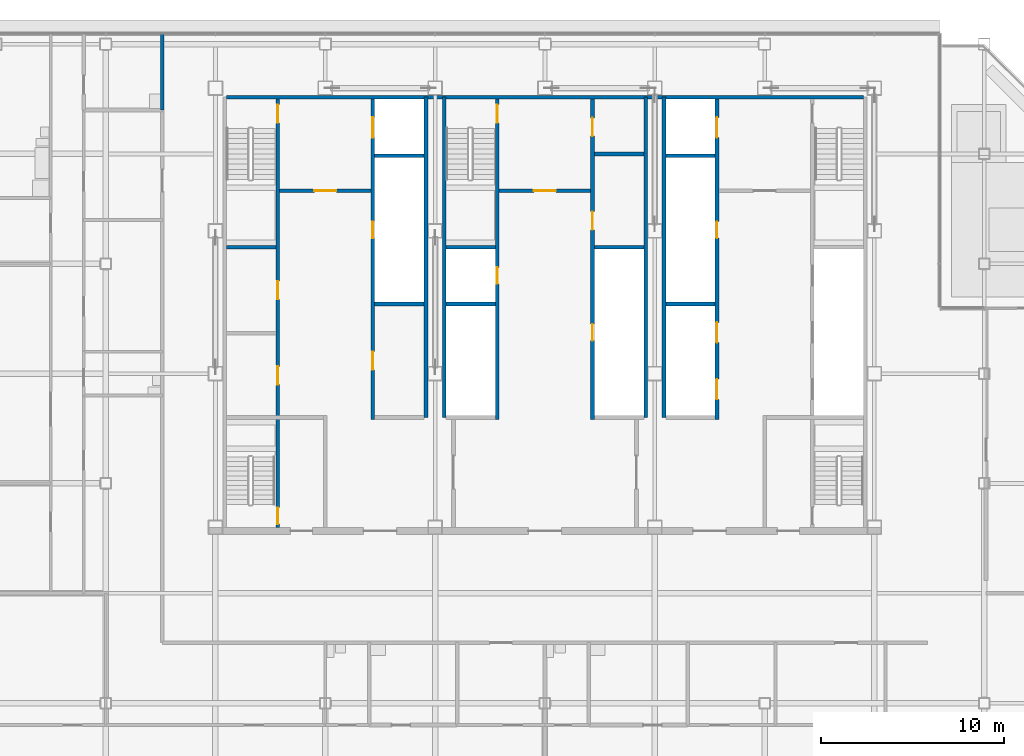
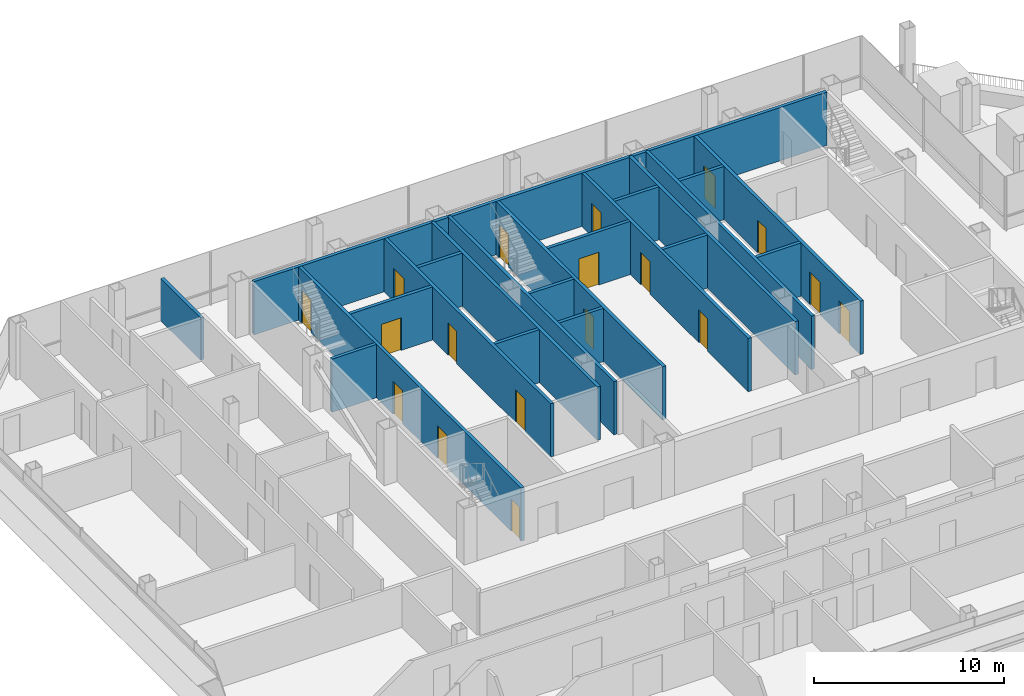
# One storey, part 23 of 29: 22 walls, 18 doors, 18 openings.
"""IFC4 building model written with IfcOpenShell, lengths in metres."""

from ifc_helpers import new_model, si_unit, direction, frame, frame_2d, origin, place, context, subcontext, project, spatial, rectangle, extrude, material, layer, layer_set, type_object, element, fill, save


model = new_model("IFC4")

# Units and contexts
model_context = context("Model", 3, precision=1e-05, world=origin(), true_north=direction((0.0, 1.0)))
body_context = subcontext(model_context, "Body", "Model", "MODEL_VIEW")
ifc_project = project(units=[si_unit("LENGTHUNIT", "METRE"), si_unit("AREAUNIT", "SQUARE_METRE"), si_unit("VOLUMEUNIT", "CUBIC_METRE"), si_unit("PLANEANGLEUNIT", "RADIAN"), si_unit("MASSUNIT", "GRAM", prefix="KILO")], contexts=[model_context])

# Site, building, storey
site_placement = place(None, origin())
site = spatial("IfcSite", under=ifc_project, at=site_placement, CompositionType="ELEMENT")
building_placement = place(site_placement, origin())
building = spatial("IfcBuilding", under=site, at=building_placement, Name="Sorahane Residences", CompositionType="ELEMENT")
storey_placement = place(building_placement, frame((0.0, 0.0, 199.199951171875)))
storey = spatial("IfcBuildingStorey", under=building, at=storey_placement, Name="L46", CompositionType="ELEMENT", Elevation=199.199951171875)

# Walls
ifc_material_1 = material(Name="Concrete C30", Category="concrete")
ifc_layer_1 = layer(ifc_material_1, 0.199951171875)
ifc_layer_set_1 = layer_set([ifc_layer_1], Name="Core face wall 200 EI 180")
wall_type_1 = type_object("IfcWallType", Name="Core face wall 200 EI 180", PredefinedType="SOLIDWALL", material=ifc_layer_set_1)
wall_1_placement = place(storey_placement, frame((6.60009765625, 45.10009765625, 0.0), z_axis=(0.0, 0.0, 1.0), x_axis=(1.0, 0.0, 0.0)))
element("IfcWall", 1, at=wall_1_placement, inside=storey, type_object=wall_type_1, Name="L46 core face wall", PredefinedType="SOLIDWALL", context=body_context, shape_type="SweptSolid", body=[
    extrude(rectangle(XDim=34.7998046875, YDim=0.199951171875, at=frame_2d((17.39990234375, 0.0))), origin(), (0.0, 0.0, 1.0), 3.420166015625),
])
for number, where, z_axis, x_axis, name in (
    (2, (17.5, 27.60009765625, 0.0), (0.0, 0.0, 1.0), (0.0, 1.0, 0.0), "L46 core face wall"),
    (3, (18.5, 27.60009765625, 0.0), (0.0, 0.0, 1.0), (0.0, 1.0, 0.0), "L46 core face wall"),
    (4, (29.5, 27.60009765625, 0.0), (0.0, 0.0, 1.0), (0.0, 1.0, 0.0), "L46 core face wall"),
    (5, (30.5, 27.60009765625, 0.0), (0.0, 0.0, 1.0), (0.0, 1.0, 0.0), "L46 core face wall"),
):
    element("IfcWall", number, at=place(storey_placement, frame(where, z_axis=z_axis, x_axis=x_axis)), inside=storey, type_object=wall_type_1, Name=name, PredefinedType="SOLIDWALL", context=body_context, shape_type="SweptSolid", body=[
        extrude(rectangle(XDim=17.5, YDim=0.199951171875, at=frame_2d((8.75, 0.0))), origin(), (0.0, 0.0, 1.0), 3.420166015625),
    ])

# Wall, opening, door
ifc_material_2 = material(Name="Concrete C30", Category="concrete")
ifc_layer_2 = layer(ifc_material_2, 0.199951171875)
ifc_layer_set_2 = layer_set([ifc_layer_2], Name="Front room wall 200 EI 120")
wall_type_2 = type_object("IfcWallType", Name="Front room wall 200 EI 120", PredefinedType="PARTITIONING", material=ifc_layer_set_2)
wall_2_placement = place(storey_placement, frame((21.5, 40.0, 0.0), z_axis=(0.0, 0.0, 1.0), x_axis=(1.0, 0.0, 0.0)))
wall_2 = element("IfcWall", 6, at=wall_2_placement, inside=storey, type_object=wall_type_2, Name="L46 front room wall", PredefinedType="PARTITIONING", context=body_context, shape_type="SweptSolid", body=[
    extrude(rectangle(XDim=5.0, YDim=0.199951171875, at=frame_2d((2.5, 0.0))), origin(), (0.0, 0.0, 1.0), 3.420166015625),
])
opening_1_placement = place(wall_2_placement, frame((1.89990234375, 0.0, 0.0)))
opening_1 = element("IfcOpeningElement", 7, at=opening_1_placement, cuts=wall_2, Name="Opening L46-C09", PredefinedType="OPENING", context=body_context, shape_type="SweptSolid", body=[
    extrude(rectangle(XDim=1.199951171875, YDim=2.10009765625, at=frame_2d((0.60009765625, 1.050048828125))), frame((0.0, 0.10986328125, 0.0), z_axis=(0.0, -1.0, 0.0), x_axis=(1.0, 0.0, 0.0)), (0.0, 0.0, 1.0), 0.219970703125),
])
ifc_material_3 = material(Name="Steel", Category="steel")
door_type_1 = type_object("IfcDoorType", Name="Front room door 1200x2100 FD120", OperationType="NOTDEFINED", PredefinedType="DOOR", material=ifc_material_3)
door_1_placement = place(opening_1_placement, frame((1.199951171875, 0.0, 0.0), z_axis=(0.0, 0.0, 1.0), x_axis=(-1.0, 0.0, 0.0)))
door_1 = element("IfcDoor", 8, at=door_1_placement, inside=storey, type_object=door_type_1, Name="Front room door Stair S3 vestibule L46", OperationType="DOUBLE_DOOR_SINGLE_SWING", OverallHeight=2.10009765625, OverallWidth=1.199951171875, PredefinedType="DOOR", context=body_context, shape_type="SweptSolid", body=[
    extrude(rectangle(XDim=1.199951171875, YDim=2.10009765625, at=frame_2d((0.60009765625, 1.050048828125))), frame((0.0, 0.02490234375, 0.0), z_axis=(0.0, -1.0, 0.0), x_axis=(1.0, 0.0, 0.0)), (0.0, 0.0, 1.0), 0.050048828125),
])
fill(opening_1, door_1)

wall_3_placement = place(storey_placement, frame((9.5, 40.0, 0.0), z_axis=(0.0, 0.0, 1.0), x_axis=(1.0, 0.0, 0.0)))
wall_3 = element("IfcWall", 9, at=wall_3_placement, inside=storey, type_object=wall_type_2, Name="L46 front room wall", PredefinedType="PARTITIONING", context=body_context, shape_type="SweptSolid", body=[
    extrude(rectangle(XDim=5.0, YDim=0.199951171875, at=frame_2d((2.5, 0.0))), origin(), (0.0, 0.0, 1.0), 3.420166015625),
])
opening_2_placement = place(wall_3_placement, frame((1.89990234375, 0.0, 0.0)))
opening_2 = element("IfcOpeningElement", 10, at=opening_2_placement, cuts=wall_3, Name="Opening L46-C08", PredefinedType="OPENING", context=body_context, shape_type="SweptSolid", body=[
    extrude(rectangle(XDim=1.199951171875, YDim=2.10009765625, at=frame_2d((0.60009765625, 1.050048828125))), frame((0.0, 0.10986328125, 0.0), z_axis=(0.0, -1.0, 0.0), x_axis=(1.0, 0.0, 0.0)), (0.0, 0.0, 1.0), 0.219970703125),
])
door_2_placement = place(opening_2_placement, frame((1.199951171875, 0.0, 0.0), z_axis=(0.0, 0.0, 1.0), x_axis=(-1.0, 0.0, 0.0)))
door_2 = element("IfcDoor", 11, at=door_2_placement, inside=storey, type_object=door_type_1, Name="Front room door Firefighting lobby FF1 front room L46", OperationType="DOUBLE_DOOR_SINGLE_SWING", OverallHeight=2.10009765625, OverallWidth=1.199951171875, PredefinedType="DOOR", context=body_context, shape_type="SweptSolid", body=[
    extrude(rectangle(XDim=1.199951171875, YDim=2.10009765625, at=frame_2d((0.60009765625, 1.050048828125))), frame((0.0, 0.02490234375, 0.0), z_axis=(0.0, -1.0, 0.0), x_axis=(1.0, 0.0, 0.0)), (0.0, 0.0, 1.0), 0.050048828125),
])
fill(opening_2, door_2)

# Wall
ifc_material_4 = material(Name="Concrete blockwork C20 wall", Category="masonry")
ifc_layer_3 = layer(ifc_material_4, 0.199951171875)
ifc_layer_set_3 = layer_set([ifc_layer_3], Name="Kitchen wall 200 EI 180")
wall_type_3 = type_object("IfcWallType", Name="Kitchen wall 200 EI 180", PredefinedType="SOLIDWALL", material=ifc_layer_set_3)
wall_4_placement = place(storey_placement, frame((3.10009765625, 44.39990234375, 0.0), z_axis=(0.0, 0.0, 1.0), x_axis=(0.0, 1.0, 0.0)))
element("IfcWall", 12, at=wall_4_placement, inside=storey, type_object=wall_type_3, Name="L46 kitchen wall", PredefinedType="SOLIDWALL", context=body_context, shape_type="SweptSolid", body=[
    extrude(rectangle(XDim=4.2001953125, YDim=0.199951171875, at=frame_2d((2.10009765625, 0.0))), origin(), (0.0, 0.0, 1.0), 2.719970703125),
])

# Wall, openings, doors
ifc_material_5 = material(Name="Concrete C30", Category="concrete")
ifc_layer_4 = layer(ifc_material_5, 0.199951171875)
ifc_layer_set_4 = layer_set([ifc_layer_4], Name="Lift shaft wall 200 EI 120")
wall_type_4 = type_object("IfcWallType", Name="Lift shaft wall 200 EI 120", PredefinedType="SOLIDWALL", material=ifc_layer_set_4)
wall_5_placement = place(storey_placement, frame((14.60009765625, 27.5, 0.0), z_axis=(0.0, 0.0, 1.0), x_axis=(0.0, 1.0, 0.0)))
wall_5 = element("IfcWall", 13, at=wall_5_placement, inside=storey, type_object=wall_type_4, Name="L46 lift shaft wall", PredefinedType="SOLIDWALL", context=body_context, shape_type="SweptSolid", body=[
    extrude(rectangle(XDim=17.5, YDim=0.199951171875, at=frame_2d((8.75, 0.0))), origin(), (0.0, 0.0, 1.0), 3.420166015625),
])
opening_3_placement = place(wall_5_placement, frame((15.39990234375, 0.0, 0.0)))
opening_3 = element("IfcOpeningElement", 14, at=opening_3_placement, cuts=wall_5, Name="Opening L46-C17", PredefinedType="OPENING", context=body_context, shape_type="SweptSolid", body=[
    extrude(rectangle(XDim=1.10009765625, YDim=2.10009765625, at=frame_2d((0.550048828125, 1.050048828125))), frame((0.0, 0.10986328125, 0.0), z_axis=(0.0, -1.0, 0.0), x_axis=(1.0, 0.0, 0.0)), (0.0, 0.0, 1.0), 0.219970703125),
])
opening_4_placement = place(wall_5_placement, frame((2.699951171875, 0.0, 0.0)))
opening_4 = element("IfcOpeningElement", 15, at=opening_4_placement, cuts=wall_5, Name="Opening L46-C18", PredefinedType="OPENING", context=body_context, shape_type="SweptSolid", body=[
    extrude(rectangle(XDim=1.0, YDim=2.10009765625, at=frame_2d((0.5, 1.050048828125))), frame((0.0, 0.10986328125, 0.0), z_axis=(0.0, -1.0, 0.0), x_axis=(1.0, 0.0, 0.0)), (0.0, 0.0, 1.0), 0.219970703125),
])
opening_5_placement = place(wall_5_placement, frame((9.89990234375, 0.0, 0.0)))
opening_5 = element("IfcOpeningElement", 16, at=opening_5_placement, cuts=wall_5, Name="Opening L46-C26", PredefinedType="OPENING", context=body_context, shape_type="SweptSolid", body=[
    extrude(rectangle(XDim=0.89990234375, YDim=2.10009765625, at=frame_2d((0.449951171875, 1.050048828125))), frame((0.0, 0.10986328125, 0.0), z_axis=(0.0, -1.0, 0.0), x_axis=(1.0, 0.0, 0.0)), (0.0, 0.0, 1.0), 0.219970703125),
])
ifc_material_6 = material(Name="Aluminium and stainless steel", Category="steel")
door_type_2 = type_object("IfcDoorType", Name="Lift landing door 1100x2100 E 60", OperationType="NOTDEFINED", PredefinedType="DOOR", material=ifc_material_6)
door_3_placement = place(opening_3_placement, origin())
door_3 = element("IfcDoor", 17, at=door_3_placement, inside=storey, type_object=door_type_2, Name="Lift landing door FF1 L46", OperationType="DOUBLE_DOOR_SLIDING", OverallHeight=2.10009765625, OverallWidth=1.10009765625, PredefinedType="DOOR", context=body_context, shape_type="SweptSolid", body=[
    extrude(rectangle(XDim=1.10009765625, YDim=2.10009765625, at=frame_2d((0.550048828125, 1.050048828125))), frame((0.0, 0.02490234375, 0.0), z_axis=(0.0, -1.0, 0.0), x_axis=(1.0, 0.0, 0.0)), (0.0, 0.0, 1.0), 0.050048828125),
])
fill(opening_3, door_3)
ifc_material_7 = material(Name="Steel", Category="steel")
door_type_3 = type_object("IfcDoorType", Name="Riser door 900x2100 FD120", OperationType="NOTDEFINED", PredefinedType="DOOR", material=ifc_material_7)
door_4_placement = place(opening_5_placement, origin())
door_4 = element("IfcDoor", 18, at=door_4_placement, inside=storey, type_object=door_type_3, Name="Riser door R1 L46", OperationType="SINGLE_SWING_LEFT", OverallHeight=2.10009765625, OverallWidth=0.89990234375, PredefinedType="DOOR", context=body_context, shape_type="SweptSolid", body=[
    extrude(rectangle(XDim=0.89990234375, YDim=2.10009765625, at=frame_2d((0.449951171875, 1.050048828125))), frame((0.0, 0.02490234375, 0.0), z_axis=(0.0, -1.0, 0.0), x_axis=(1.0, 0.0, 0.0)), (0.0, 0.0, 1.0), 0.050048828125),
])
fill(opening_5, door_4)
ifc_material_8 = material(Name="Steel", Category="steel")
door_type_4 = type_object("IfcDoorType", Name="Service room door 1000x2100 FD60", OperationType="NOTDEFINED", PredefinedType="DOOR", material=ifc_material_8)
door_5_placement = place(opening_4_placement, frame((1.0, 0.0, 0.0), z_axis=(0.0, 0.0, 1.0), x_axis=(-1.0, 0.0, 0.0)))
door_5 = element("IfcDoor", 19, at=door_5_placement, inside=storey, type_object=door_type_4, Name="Service room door Meeting room L46", OperationType="SINGLE_SWING_RIGHT", OverallHeight=2.10009765625, OverallWidth=1.0, PredefinedType="DOOR", context=body_context, shape_type="SweptSolid", body=[
    extrude(rectangle(XDim=1.0, YDim=2.10009765625, at=frame_2d((0.5, 1.050048828125))), frame((0.0, 0.02490234375, 0.0), z_axis=(0.0, -1.0, 0.0), x_axis=(1.0, 0.0, 0.0)), (0.0, 0.0, 1.0), 0.050048828125),
])
fill(opening_4, door_5)

wall_6_placement = place(storey_placement, frame((33.39990234375, 27.5, 0.0), z_axis=(0.0, 0.0, 1.0), x_axis=(0.0, 1.0, 0.0)))
wall_6 = element("IfcWall", 20, at=wall_6_placement, inside=storey, type_object=wall_type_4, Name="L46 lift shaft wall", PredefinedType="SOLIDWALL", context=body_context, shape_type="SweptSolid", body=[
    extrude(rectangle(XDim=17.5, YDim=0.199951171875, at=frame_2d((8.75, 0.0))), origin(), (0.0, 0.0, 1.0), 3.420166015625),
])
opening_6_placement = place(wall_6_placement, frame((1.10009765625, 0.0, 0.0)))
opening_6 = element("IfcOpeningElement", 21, at=opening_6_placement, cuts=wall_6, Name="Opening L46-C14", PredefinedType="OPENING", context=body_context, shape_type="SweptSolid", body=[
    extrude(rectangle(XDim=1.10009765625, YDim=2.10009765625, at=frame_2d((0.550048828125, 1.050048828125))), frame((0.0, 0.10986328125, 0.0), z_axis=(0.0, -1.0, 0.0), x_axis=(1.0, 0.0, 0.0)), (0.0, 0.0, 1.0), 0.219970703125),
])
opening_7_placement = place(wall_6_placement, frame((4.199951171875, 0.0, 0.0)))
opening_7 = element("IfcOpeningElement", 22, at=opening_7_placement, cuts=wall_6, Name="Opening L46-C15", PredefinedType="OPENING", context=body_context, shape_type="SweptSolid", body=[
    extrude(rectangle(XDim=1.10009765625, YDim=2.10009765625, at=frame_2d((0.550048828125, 1.050048828125))), frame((0.0, 0.10986328125, 0.0), z_axis=(0.0, -1.0, 0.0), x_axis=(1.0, 0.0, 0.0)), (0.0, 0.0, 1.0), 0.219970703125),
])
opening_8_placement = place(wall_6_placement, frame((15.39990234375, 0.0, 0.0)))
opening_8 = element("IfcOpeningElement", 23, at=opening_8_placement, cuts=wall_6, Name="Opening L46-C16", PredefinedType="OPENING", context=body_context, shape_type="SweptSolid", body=[
    extrude(rectangle(XDim=1.10009765625, YDim=2.10009765625, at=frame_2d((0.550048828125, 1.050048828125))), frame((0.0, 0.10986328125, 0.0), z_axis=(0.0, -1.0, 0.0), x_axis=(1.0, 0.0, 0.0)), (0.0, 0.0, 1.0), 0.219970703125),
])
opening_9_placement = place(wall_6_placement, frame((9.89990234375, 0.0, 0.0)))
opening_9 = element("IfcOpeningElement", 24, at=opening_9_placement, cuts=wall_6, Name="Opening L46-C27", PredefinedType="OPENING", context=body_context, shape_type="SweptSolid", body=[
    extrude(rectangle(XDim=0.89990234375, YDim=2.10009765625, at=frame_2d((0.449951171875, 1.050048828125))), frame((0.0, 0.10986328125, 0.0), z_axis=(0.0, -1.0, 0.0), x_axis=(1.0, 0.0, 0.0)), (0.0, 0.0, 1.0), 0.219970703125),
])
door_6_placement = place(opening_6_placement, origin())
door_6 = element("IfcDoor", 25, at=door_6_placement, inside=storey, type_object=door_type_2, Name="Lift landing door HR4 L46", OperationType="DOUBLE_DOOR_SLIDING", OverallHeight=2.10009765625, OverallWidth=1.10009765625, PredefinedType="DOOR", context=body_context, shape_type="SweptSolid", body=[
    extrude(rectangle(XDim=1.10009765625, YDim=2.10009765625, at=frame_2d((0.550048828125, 1.050048828125))), frame((0.0, 0.02490234375, 0.0), z_axis=(0.0, -1.0, 0.0), x_axis=(1.0, 0.0, 0.0)), (0.0, 0.0, 1.0), 0.050048828125),
])
fill(opening_6, door_6)
door_7_placement = place(opening_7_placement, origin())
door_7 = element("IfcDoor", 26, at=door_7_placement, inside=storey, type_object=door_type_2, Name="Lift landing door HR5 L46", OperationType="DOUBLE_DOOR_SLIDING", OverallHeight=2.10009765625, OverallWidth=1.10009765625, PredefinedType="DOOR", context=body_context, shape_type="SweptSolid", body=[
    extrude(rectangle(XDim=1.10009765625, YDim=2.10009765625, at=frame_2d((0.550048828125, 1.050048828125))), frame((0.0, 0.02490234375, 0.0), z_axis=(0.0, -1.0, 0.0), x_axis=(1.0, 0.0, 0.0)), (0.0, 0.0, 1.0), 0.050048828125),
])
fill(opening_7, door_7)
door_8_placement = place(opening_8_placement, origin())
door_8 = element("IfcDoor", 27, at=door_8_placement, inside=storey, type_object=door_type_2, Name="Lift landing door FF2 L46", OperationType="DOUBLE_DOOR_SLIDING", OverallHeight=2.10009765625, OverallWidth=1.10009765625, PredefinedType="DOOR", context=body_context, shape_type="SweptSolid", body=[
    extrude(rectangle(XDim=1.10009765625, YDim=2.10009765625, at=frame_2d((0.550048828125, 1.050048828125))), frame((0.0, 0.02490234375, 0.0), z_axis=(0.0, -1.0, 0.0), x_axis=(1.0, 0.0, 0.0)), (0.0, 0.0, 1.0), 0.050048828125),
])
fill(opening_8, door_8)
door_9_placement = place(opening_9_placement, frame((0.89990234375, 0.0, 0.0), z_axis=(0.0, 0.0, 1.0), x_axis=(-1.0, 0.0, 0.0)))
door_9 = element("IfcDoor", 28, at=door_9_placement, inside=storey, type_object=door_type_3, Name="Riser door R2 L46", OperationType="SINGLE_SWING_LEFT", OverallHeight=2.10009765625, OverallWidth=0.89990234375, PredefinedType="DOOR", context=body_context, shape_type="SweptSolid", body=[
    extrude(rectangle(XDim=0.89990234375, YDim=2.10009765625, at=frame_2d((0.449951171875, 1.050048828125))), frame((0.0, 0.02490234375, 0.0), z_axis=(0.0, -1.0, 0.0), x_axis=(1.0, 0.0, 0.0)), (0.0, 0.0, 1.0), 0.050048828125),
])
fill(opening_9, door_9)

# Walls
for number, where, z_axis, x_axis, name in (
    (29, (18.60009765625, 33.800048828125, 0.0), (0.0, 0.0, 1.0), (1.0, 0.0, 0.0), "L46 lift shaft wall"),
    (30, (30.60009765625, 33.800048828125, 0.0), (0.0, 0.0, 1.0), (1.0, 0.0, 0.0), "L46 lift shaft wall"),
    (31, (14.699951171875, 41.89990234375, 0.0), (0.0, 0.0, 1.0), (1.0, 0.0, 0.0), "L46 lift shaft wall"),
    (32, (30.60009765625, 41.89990234375, 0.0), (0.0, 0.0, 1.0), (1.0, 0.0, 0.0), "L46 lift shaft wall"),
):
    element("IfcWall", number, at=place(storey_placement, frame(where, z_axis=z_axis, x_axis=x_axis)), inside=storey, type_object=wall_type_4, Name=name, PredefinedType="SOLIDWALL", context=body_context, shape_type="SweptSolid", body=[
        extrude(rectangle(XDim=2.699951171875, YDim=0.199951171875, at=frame_2d((1.35009765625, 0.0))), origin(), (0.0, 0.0, 1.0), 3.420166015625),
    ])

# Wall, openings, doors
ifc_material_9 = material(Name="Concrete C30", Category="concrete")
ifc_layer_5 = layer(ifc_material_9, 0.199951171875)
ifc_layer_set_5 = layer_set([ifc_layer_5], Name="Riser shaft wall 200 EI 120")
wall_type_5 = type_object("IfcWallType", Name="Riser shaft wall 200 EI 120", PredefinedType="SOLIDWALL", material=ifc_layer_set_5)
wall_7_placement = place(storey_placement, frame((26.60009765625, 27.5, 0.0), z_axis=(0.0, 0.0, 1.0), x_axis=(0.0, 1.0, 0.0)))
wall_7 = element("IfcWall", 33, at=wall_7_placement, inside=storey, type_object=wall_type_5, Name="L46 riser wall", PredefinedType="SOLIDWALL", context=body_context, shape_type="SweptSolid", body=[
    extrude(rectangle(XDim=17.5, YDim=0.199951171875, at=frame_2d((8.75, 0.0))), origin(), (0.0, 0.0, 1.0), 3.420166015625),
])
opening_10_placement = place(wall_7_placement, frame((4.300048828125, 0.0, 0.0)))
opening_10 = element("IfcOpeningElement", 34, at=opening_10_placement, cuts=wall_7, Name="Opening L46-C29", PredefinedType="OPENING", context=body_context, shape_type="SweptSolid", body=[
    extrude(rectangle(XDim=0.89990234375, YDim=2.10009765625, at=frame_2d((0.449951171875, 1.050048828125))), frame((0.0, 0.10986328125, 0.0), z_axis=(0.0, -1.0, 0.0), x_axis=(1.0, 0.0, 0.0)), (0.0, 0.0, 1.0), 0.219970703125),
])
opening_11_placement = place(wall_7_placement, frame((10.35009765625, 0.0, 0.0)))
opening_11 = element("IfcOpeningElement", 35, at=opening_11_placement, cuts=wall_7, Name="Opening L46-C30", PredefinedType="OPENING", context=body_context, shape_type="SweptSolid", body=[
    extrude(rectangle(XDim=1.0, YDim=2.10009765625, at=frame_2d((0.5, 1.050048828125))), frame((0.0, 0.10986328125, 0.0), z_axis=(0.0, -1.0, 0.0), x_axis=(1.0, 0.0, 0.0)), (0.0, 0.0, 1.0), 0.219970703125),
])
opening_12_placement = place(wall_7_placement, frame((15.47509765625, 0.0, 0.0)))
opening_12 = element("IfcOpeningElement", 36, at=opening_12_placement, cuts=wall_7, Name="Opening L46-C31", PredefinedType="OPENING", context=body_context, shape_type="SweptSolid", body=[
    extrude(rectangle(XDim=1.0, YDim=2.10009765625, at=frame_2d((0.5, 1.050048828125))), frame((0.0, 0.10986328125, 0.0), z_axis=(0.0, -1.0, 0.0), x_axis=(1.0, 0.0, 0.0)), (0.0, 0.0, 1.0), 0.219970703125),
])
door_10_placement = place(opening_10_placement, origin())
door_10 = element("IfcDoor", 37, at=door_10_placement, inside=storey, type_object=door_type_3, Name="Riser door R4 L46", OperationType="SINGLE_SWING_LEFT", OverallHeight=2.10009765625, OverallWidth=0.89990234375, PredefinedType="DOOR", context=body_context, shape_type="SweptSolid", body=[
    extrude(rectangle(XDim=0.89990234375, YDim=2.10009765625, at=frame_2d((0.449951171875, 1.050048828125))), frame((0.0, 0.02490234375, 0.0), z_axis=(0.0, -1.0, 0.0), x_axis=(1.0, 0.0, 0.0)), (0.0, 0.0, 1.0), 0.050048828125),
])
fill(opening_10, door_10)
door_11_placement = place(opening_11_placement, frame((1.0, 0.0, 0.0), z_axis=(0.0, 0.0, 1.0), x_axis=(-1.0, 0.0, 0.0)))
door_11 = element("IfcDoor", 38, at=door_11_placement, inside=storey, type_object=door_type_4, Name="Service room door Parcel room L46", OperationType="SINGLE_SWING_LEFT", OverallHeight=2.10009765625, OverallWidth=1.0, PredefinedType="DOOR", context=body_context, shape_type="SweptSolid", body=[
    extrude(rectangle(XDim=1.0, YDim=2.10009765625, at=frame_2d((0.5, 1.050048828125))), frame((0.0, 0.02490234375, 0.0), z_axis=(0.0, -1.0, 0.0), x_axis=(1.0, 0.0, 0.0)), (0.0, 0.0, 1.0), 0.050048828125),
])
fill(opening_11, door_11)
door_12_placement = place(opening_12_placement, frame((1.0, 0.0, 0.0), z_axis=(0.0, 0.0, 1.0), x_axis=(-1.0, 0.0, 0.0)))
door_12 = element("IfcDoor", 39, at=door_12_placement, inside=storey, type_object=door_type_4, Name="Service room door Refuse room L46", OperationType="SINGLE_SWING_RIGHT", OverallHeight=2.10009765625, OverallWidth=1.0, PredefinedType="DOOR", context=body_context, shape_type="SweptSolid", body=[
    extrude(rectangle(XDim=1.0, YDim=2.10009765625, at=frame_2d((0.5, 1.050048828125))), frame((0.0, 0.02490234375, 0.0), z_axis=(0.0, -1.0, 0.0), x_axis=(1.0, 0.0, 0.0)), (0.0, 0.0, 1.0), 0.050048828125),
])
fill(opening_12, door_12)

# Walls
for number, where, z_axis, x_axis, name in (
    (40, (14.699951171875, 33.800048828125, 0.0), (0.0, 0.0, 1.0), (1.0, 0.0, 0.0), "L46 riser wall"),
    (41, (26.699951171875, 36.89990234375, 0.0), (0.0, 0.0, 1.0), (1.0, 0.0, 0.0), "L46 riser wall"),
):
    element("IfcWall", number, at=place(storey_placement, frame(where, z_axis=z_axis, x_axis=x_axis)), inside=storey, type_object=wall_type_5, Name=name, PredefinedType="SOLIDWALL", context=body_context, shape_type="SweptSolid", body=[
        extrude(rectangle(XDim=2.699951171875, YDim=0.199951171875, at=frame_2d((1.35009765625, 0.0))), origin(), (0.0, 0.0, 1.0), 3.420166015625),
    ])
ifc_material_10 = material(Name="Concrete C30", Category="concrete")
ifc_layer_6 = layer(ifc_material_10, 0.199951171875)
ifc_layer_set_6 = layer_set([ifc_layer_6], Name="Service room partition 200 EI 60")
wall_type_6 = type_object("IfcWallType", Name="Service room partition 200 EI 60", PredefinedType="PARTITIONING", material=ifc_layer_set_6)
wall_8_placement = place(storey_placement, frame((26.699951171875, 42.0, 0.0), z_axis=(0.0, 0.0, 1.0), x_axis=(1.0, 0.0, 0.0)))
element("IfcWall", 42, at=wall_8_placement, inside=storey, type_object=wall_type_6, Name="L46 service room wall", PredefinedType="PARTITIONING", context=body_context, shape_type="SweptSolid", body=[
    extrude(rectangle(XDim=2.699951171875, YDim=0.199951171875, at=frame_2d((1.35009765625, 0.0))), origin(), (0.0, 0.0, 1.0), 3.420166015625),
])

# Wall, openings, doors
ifc_material_11 = material(Name="Concrete C30", Category="concrete")
ifc_layer_7 = layer(ifc_material_11, 0.199951171875)
ifc_layer_set_7 = layer_set([ifc_layer_7], Name="Stair enclosure wall 200 EI 120")
wall_type_7 = type_object("IfcWallType", Name="Stair enclosure wall 200 EI 120", PredefinedType="SOLIDWALL", material=ifc_layer_set_7)
wall_9_placement = place(storey_placement, frame((21.39990234375, 27.5, 0.0), z_axis=(0.0, 0.0, 1.0), x_axis=(0.0, 1.0, 0.0)))
wall_9 = element("IfcWall", 43, at=wall_9_placement, inside=storey, type_object=wall_type_7, Name="L46 stair enclosure wall", PredefinedType="SOLIDWALL", context=body_context, shape_type="SweptSolid", body=[
    extrude(rectangle(XDim=17.5, YDim=0.199951171875, at=frame_2d((8.75, 0.0))), origin(), (0.0, 0.0, 1.0), 3.420166015625),
])
opening_13_placement = place(wall_9_placement, frame((16.199951171875, 0.0, 0.0)))
opening_13 = element("IfcOpeningElement", 44, at=opening_13_placement, cuts=wall_9, Name="Opening L46-C23", PredefinedType="OPENING", context=body_context, shape_type="SweptSolid", body=[
    extrude(rectangle(XDim=1.0, YDim=2.10009765625, at=frame_2d((0.5, 1.050048828125))), frame((0.0, 0.10986328125, 0.0), z_axis=(0.0, -1.0, 0.0), x_axis=(1.0, 0.0, 0.0)), (0.0, 0.0, 1.0), 0.219970703125),
])
opening_14_placement = place(wall_9_placement, frame((7.39990234375, 0.0, 0.0)))
opening_14 = element("IfcOpeningElement", 45, at=opening_14_placement, cuts=wall_9, Name="Opening L46-C28", PredefinedType="OPENING", context=body_context, shape_type="SweptSolid", body=[
    extrude(rectangle(XDim=0.89990234375, YDim=2.10009765625, at=frame_2d((0.449951171875, 1.050048828125))), frame((0.0, 0.10986328125, 0.0), z_axis=(0.0, -1.0, 0.0), x_axis=(1.0, 0.0, 0.0)), (0.0, 0.0, 1.0), 0.219970703125),
])
door_13_placement = place(opening_14_placement, frame((0.89990234375, 0.0, 0.0), z_axis=(0.0, 0.0, 1.0), x_axis=(-1.0, 0.0, 0.0)))
door_13 = element("IfcDoor", 46, at=door_13_placement, inside=storey, type_object=door_type_3, Name="Riser door R3 L46", OperationType="SINGLE_SWING_LEFT", OverallHeight=2.10009765625, OverallWidth=0.89990234375, PredefinedType="DOOR", context=body_context, shape_type="SweptSolid", body=[
    extrude(rectangle(XDim=0.89990234375, YDim=2.10009765625, at=frame_2d((0.449951171875, 1.050048828125))), frame((0.0, 0.02490234375, 0.0), z_axis=(0.0, -1.0, 0.0), x_axis=(1.0, 0.0, 0.0)), (0.0, 0.0, 1.0), 0.050048828125),
])
fill(opening_14, door_13)
ifc_material_12 = material(Name="Steel", Category="steel")
door_type_5 = type_object("IfcDoorType", Name="Stair door 1000x2100 FD120", OperationType="NOTDEFINED", PredefinedType="DOOR", material=ifc_material_12)
door_14_placement = place(opening_13_placement, origin())
door_14 = element("IfcDoor", 47, at=door_14_placement, inside=storey, type_object=door_type_5, Name="Stair door S3 L46", OperationType="SINGLE_SWING_LEFT", OverallHeight=2.10009765625, OverallWidth=1.0, PredefinedType="DOOR", context=body_context, shape_type="SweptSolid", body=[
    extrude(rectangle(XDim=1.0, YDim=2.10009765625, at=frame_2d((0.5, 1.050048828125))), frame((0.0, 0.02490234375, 0.0), z_axis=(0.0, -1.0, 0.0), x_axis=(1.0, 0.0, 0.0)), (0.0, 0.0, 1.0), 0.050048828125),
])
fill(opening_13, door_14)

wall_10_placement = place(storey_placement, frame((9.39990234375, 21.60009765625, 0.0), z_axis=(0.0, 0.0, 1.0), x_axis=(0.0, 1.0, 0.0)))
wall_10 = element("IfcWall", 48, at=wall_10_placement, inside=storey, type_object=wall_type_7, Name="L46 stair enclosure wall", PredefinedType="SOLIDWALL", context=body_context, shape_type="SweptSolid", body=[
    extrude(rectangle(XDim=23.39990234375, YDim=0.199951171875, at=frame_2d((11.699951171875, 0.0))), origin(), (0.0, 0.0, 1.0), 3.420166015625),
])
opening_15_placement = place(wall_10_placement, frame((7.800048828125, 0.0, 0.0)))
opening_15 = element("IfcOpeningElement", 49, at=opening_15_placement, cuts=wall_10, Name="Opening L46-C19", PredefinedType="OPENING", context=body_context, shape_type="SweptSolid", body=[
    extrude(rectangle(XDim=1.0, YDim=2.10009765625, at=frame_2d((0.5, 1.050048828125))), frame((0.0, 0.10986328125, 0.0), z_axis=(0.0, -1.0, 0.0), x_axis=(1.0, 0.0, 0.0)), (0.0, 0.0, 1.0), 0.219970703125),
])
opening_16_placement = place(wall_10_placement, frame((12.449951171875, 0.0, 0.0)))
opening_16 = element("IfcOpeningElement", 50, at=opening_16_placement, cuts=wall_10, Name="Opening L46-C20", PredefinedType="OPENING", context=body_context, shape_type="SweptSolid", body=[
    extrude(rectangle(XDim=1.0, YDim=2.10009765625, at=frame_2d((0.5, 1.050048828125))), frame((0.0, 0.10986328125, 0.0), z_axis=(0.0, -1.0, 0.0), x_axis=(1.0, 0.0, 0.0)), (0.0, 0.0, 1.0), 0.219970703125),
])
opening_17_placement = place(wall_10_placement, frame((22.10009765625, 0.0, 0.0)))
opening_17 = element("IfcOpeningElement", 51, at=opening_17_placement, cuts=wall_10, Name="Opening L46-C21", PredefinedType="OPENING", context=body_context, shape_type="SweptSolid", body=[
    extrude(rectangle(XDim=1.0, YDim=2.10009765625, at=frame_2d((0.5, 1.050048828125))), frame((0.0, 0.10986328125, 0.0), z_axis=(0.0, -1.0, 0.0), x_axis=(1.0, 0.0, 0.0)), (0.0, 0.0, 1.0), 0.219970703125),
])
opening_18_placement = place(wall_10_placement, frame((0.175048828125, 0.0, 0.0)))
opening_18 = element("IfcOpeningElement", 52, at=opening_18_placement, cuts=wall_10, Name="Opening L46-C24", PredefinedType="OPENING", context=body_context, shape_type="SweptSolid", body=[
    extrude(rectangle(XDim=0.89990234375, YDim=2.10009765625, at=frame_2d((0.449951171875, 1.050048828125))), frame((0.0, 0.10986328125, 0.0), z_axis=(0.0, -1.0, 0.0), x_axis=(1.0, 0.0, 0.0)), (0.0, 0.0, 1.0), 0.219970703125),
])
door_15_placement = place(opening_15_placement, origin())
door_15 = element("IfcDoor", 53, at=door_15_placement, inside=storey, type_object=door_type_4, Name="Service room door Meeting room L46", OperationType="SINGLE_SWING_RIGHT", OverallHeight=2.10009765625, OverallWidth=1.0, PredefinedType="DOOR", context=body_context, shape_type="SweptSolid", body=[
    extrude(rectangle(XDim=1.0, YDim=2.10009765625, at=frame_2d((0.5, 1.050048828125))), frame((0.0, 0.02490234375, 0.0), z_axis=(0.0, -1.0, 0.0), x_axis=(1.0, 0.0, 0.0)), (0.0, 0.0, 1.0), 0.050048828125),
])
fill(opening_15, door_15)
door_16_placement = place(opening_16_placement, origin())
door_16 = element("IfcDoor", 54, at=door_16_placement, inside=storey, type_object=door_type_4, Name="Service room door Meeting room L46", OperationType="SINGLE_SWING_LEFT", OverallHeight=2.10009765625, OverallWidth=1.0, PredefinedType="DOOR", context=body_context, shape_type="SweptSolid", body=[
    extrude(rectangle(XDim=1.0, YDim=2.10009765625, at=frame_2d((0.5, 1.050048828125))), frame((0.0, 0.02490234375, 0.0), z_axis=(0.0, -1.0, 0.0), x_axis=(1.0, 0.0, 0.0)), (0.0, 0.0, 1.0), 0.050048828125),
])
fill(opening_16, door_16)
door_17_placement = place(opening_17_placement, origin())
door_17 = element("IfcDoor", 55, at=door_17_placement, inside=storey, type_object=door_type_5, Name="Stair door S1 L46", OperationType="SINGLE_SWING_LEFT", OverallHeight=2.10009765625, OverallWidth=1.0, PredefinedType="DOOR", context=body_context, shape_type="SweptSolid", body=[
    extrude(rectangle(XDim=1.0, YDim=2.10009765625, at=frame_2d((0.5, 1.050048828125))), frame((0.0, 0.02490234375, 0.0), z_axis=(0.0, -1.0, 0.0), x_axis=(1.0, 0.0, 0.0)), (0.0, 0.0, 1.0), 0.050048828125),
])
fill(opening_17, door_17)
ifc_material_13 = material(Name="Steel", Category="steel")
door_type_6 = type_object("IfcDoorType", Name="Stair door 900x2100 FD120", OperationType="NOTDEFINED", PredefinedType="DOOR", material=ifc_material_13)
door_18_placement = place(opening_18_placement, origin())
door_18 = element("IfcDoor", 56, at=door_18_placement, inside=storey, type_object=door_type_6, Name="Stair door S4 L46", OperationType="SINGLE_SWING_LEFT", OverallHeight=2.10009765625, OverallWidth=0.89990234375, PredefinedType="DOOR", context=body_context, shape_type="SweptSolid", body=[
    extrude(rectangle(XDim=0.89990234375, YDim=2.10009765625, at=frame_2d((0.449951171875, 1.050048828125))), frame((0.0, 0.02490234375, 0.0), z_axis=(0.0, -1.0, 0.0), x_axis=(1.0, 0.0, 0.0)), (0.0, 0.0, 1.0), 0.050048828125),
])
fill(opening_18, door_18)

# Walls
for number, where, z_axis, x_axis, name in (
    (57, (18.60009765625, 36.89990234375, 0.0), (0.0, 0.0, 1.0), (1.0, 0.0, 0.0), "L46 stair enclosure wall"),
    (58, (6.60009765625, 36.89990234375, 0.0), (0.0, 0.0, 1.0), (1.0, 0.0, 0.0), "L46 stair enclosure wall"),
):
    element("IfcWall", number, at=place(storey_placement, frame(where, z_axis=z_axis, x_axis=x_axis)), inside=storey, type_object=wall_type_7, Name=name, PredefinedType="SOLIDWALL", context=body_context, shape_type="SweptSolid", body=[
        extrude(rectangle(XDim=2.699951171875, YDim=0.199951171875, at=frame_2d((1.35009765625, 0.0))), origin(), (0.0, 0.0, 1.0), 3.420166015625),
    ])

save(model, "model.ifc")
